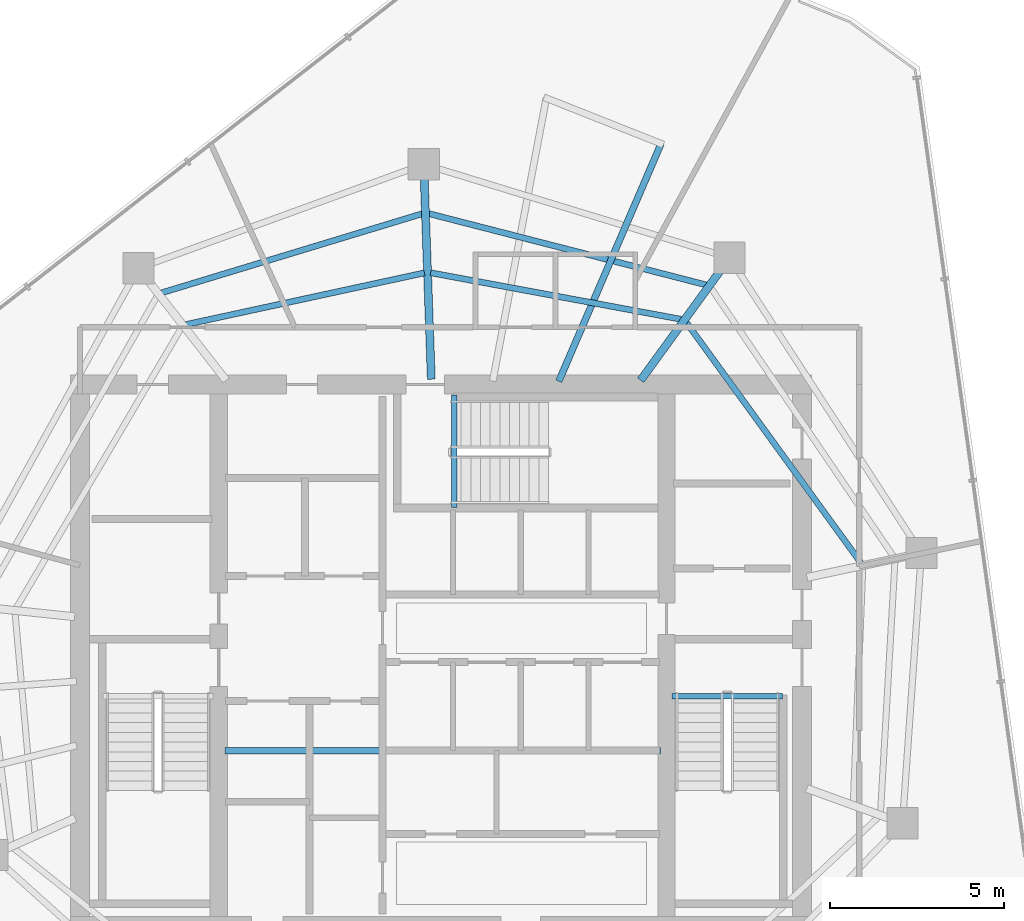
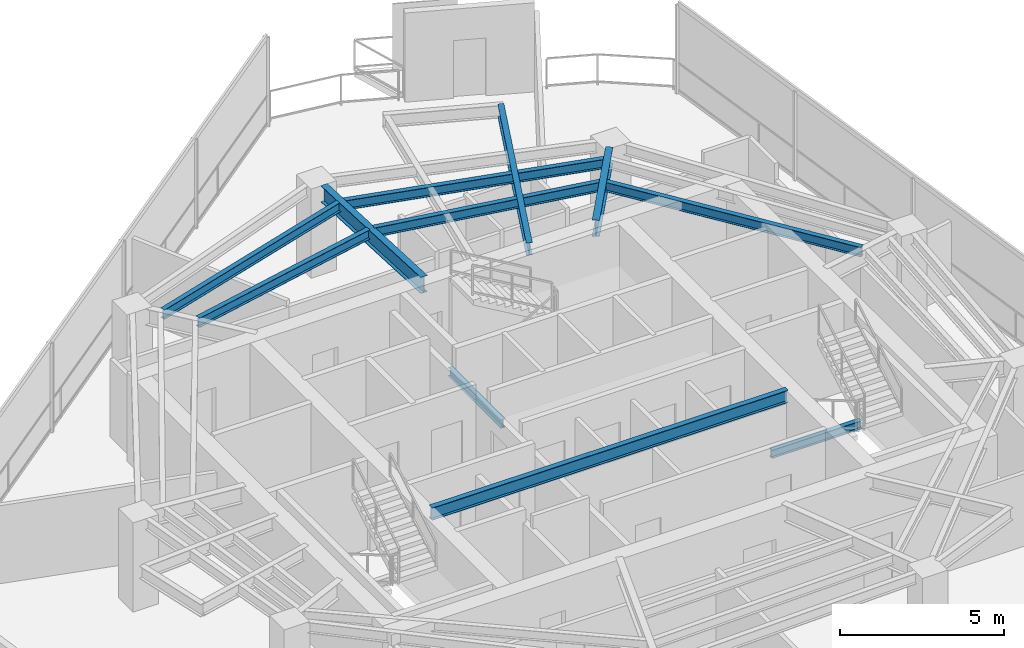
# One storey, part 8 of 19: 11 beams.
"""IFC4 building model written with IfcOpenShell, lengths in metres."""

from ifc_helpers import new_model, si_unit, direction, frame, origin, origin_2d, place, context, subcontext, project, spatial, i_section, extrude, material, material_profile, profile_set, type_object, element, save


model = new_model("IFC4")

# Units and contexts
model_context = context("Model", 3, precision=1e-05, world=origin(), true_north=direction((0.0, 1.0)))
body_context = subcontext(model_context, "Body", "Model", "MODEL_VIEW")
ifc_project = project(units=[si_unit("LENGTHUNIT", "METRE"), si_unit("AREAUNIT", "SQUARE_METRE"), si_unit("VOLUMEUNIT", "CUBIC_METRE"), si_unit("PLANEANGLEUNIT", "RADIAN"), si_unit("MASSUNIT", "GRAM", prefix="KILO")], contexts=[model_context])

# Site, building, storey
site_placement = place(None, origin())
site = spatial("IfcSite", under=ifc_project, at=site_placement, CompositionType="ELEMENT")
building_placement = place(site_placement, origin())
building = spatial("IfcBuilding", under=site, at=building_placement, Name="Qarnah Convention Tower", CompositionType="ELEMENT")
storey_placement = place(building_placement, frame((0.0, 0.0, 209.39990234375)))
storey = spatial("IfcBuildingStorey", under=building, at=storey_placement, Name="L56", CompositionType="ELEMENT", Elevation=209.39990234375)

# Beams
ifc_material = material(Name="Structural steel S355JR", Category="steel")
ifc_material_profile_1 = material_profile(ifc_material, i_section(OverallWidth=0.19189453125, OverallDepth=0.464111328125, WebThickness=0.010986328125, FlangeThickness=0.01806640625, at=origin_2d()), Name="W460X89")
ifc_profile_set_1 = profile_set([ifc_material_profile_1], Name="Structural steel S355JR")
beam_type_1 = type_object("IfcBeamType", Name="BM-CANT-W460A", PredefinedType="BEAM", material=ifc_profile_set_1)
beam_1_placement = place(storey_placement, frame((30.97998046875, 23.64990234375, 3.088134765625), z_axis=(1.0, 0.0, 0.0), x_axis=(0.0, 1.0, 0.0)))
element("IfcBeam", 1, at=beam_1_placement, inside=storey, type_object=beam_type_1, Name="L56 beam BM-L56-KC1", PredefinedType="BEAM", context=body_context, shape_type="SweptSolid", body=[
    extrude(i_section(OverallWidth=0.19189453125, OverallDepth=0.464111328125, WebThickness=0.010986328125, FlangeThickness=0.01806640625, at=origin_2d()), origin(), (0.0, 0.0, 1.0), 12.5400390625),
])
beam_2_placement = place(storey_placement, frame((40.596923828125, 34.2919921875, 3.088134765625), z_axis=(0.395334358974, 0.91853728537, 0.0), x_axis=(-0.91853728537, 0.395334358974, 0.0)))
element("IfcBeam", 2, at=beam_2_placement, inside=storey, type_object=beam_type_1, Name="L56 beam BM-L56-CNT-01-1", PredefinedType="BEAM", context=body_context, shape_type="SweptSolid", body=[
    extrude(i_section(OverallWidth=0.19189453125, OverallDepth=0.464111328125, WebThickness=0.010986328125, FlangeThickness=0.01806640625, at=origin_2d()), origin(), (0.0, 0.0, 1.0), 7.4521484375),
])
ifc_material_profile_2 = material_profile(ifc_material, i_section(OverallWidth=0.166015625, OverallDepth=0.31201171875, WebThickness=0.007080078125, FlangeThickness=0.010986328125, at=origin_2d()), Name="W310X45")
ifc_profile_set_2 = profile_set([ifc_material_profile_2], Name="Structural steel S355JR")
beam_type_2 = type_object("IfcBeamType", Name="BM-JST-W310", PredefinedType="JOIST", material=ifc_profile_set_2)
beam_3_placement = place(storey_placement, frame((43.860107421875, 25.217041015625, -0.156005859375), z_axis=(1.0, 0.0, 0.0), x_axis=(0.0, 1.0, 0.0)))
element("IfcBeam", 3, at=beam_3_placement, inside=storey, type_object=beam_type_2, Name="L56 stair landing trimmer beam BM-L56-ST2-TRM", PredefinedType="BEAM", context=body_context, shape_type="SweptSolid", body=[
    extrude(i_section(OverallWidth=0.166015625, OverallDepth=0.31201171875, WebThickness=0.007080078125, FlangeThickness=0.010986328125, at=origin_2d()), origin(), (0.0, 0.0, 1.0), 3.179931640625),
])
beam_4_placement = place(storey_placement, frame((37.5830078125, 30.659912109375, -0.156005859375), z_axis=(0.0, 1.0, 0.0), x_axis=(-1.0, 0.0, 0.0)))
element("IfcBeam", 4, at=beam_4_placement, inside=storey, type_object=beam_type_2, Name="L56 stair landing trimmer beam BM-L56-ST3-TRM", PredefinedType="BEAM", context=body_context, shape_type="SweptSolid", body=[
    extrude(i_section(OverallWidth=0.166015625, OverallDepth=0.31201171875, WebThickness=0.007080078125, FlangeThickness=0.010986328125, at=origin_2d()), origin(), (0.0, 0.0, 1.0), 3.239990234375),
])
ifc_material_profile_3 = material_profile(ifc_material, i_section(OverallWidth=0.172119140625, OverallDepth=0.35595703125, WebThickness=0.007080078125, FlangeThickness=0.011962890625, at=origin_2d()), Name="W360X51")
ifc_profile_set_3 = profile_set([ifc_material_profile_3], Name="Structural steel S355JR")
beam_type_3 = type_object("IfcBeamType", Name="BM-JST-W360", PredefinedType="JOIST", material=ifc_profile_set_3)
beam_5_placement = place(storey_placement, frame((44.846923828125, 37.06689453125, 3.14208984375), z_axis=(-0.968529970229, 0.248896960142, 0.0), x_axis=(-0.248896960142, -0.968529970229, 0.0)))
element("IfcBeam", 5, at=beam_5_placement, inside=storey, type_object=beam_type_3, Name="L56 joist BM-L56-SJST-02", PredefinedType="JOIST", context=body_context, shape_type="SweptSolid", body=[
    extrude(i_section(OverallWidth=0.172119140625, OverallDepth=0.35595703125, WebThickness=0.007080078125, FlangeThickness=0.011962890625, at=origin_2d()), origin(), (0.0, 0.0, 1.0), 8.264892578125),
])
beam_6_placement = place(storey_placement, frame((36.6689453125, 39.1201171875, 3.14208984375), z_axis=(-0.956935771125, -0.290299724321, 0.0), x_axis=(0.290299724321, -0.956935771125, 0.0)))
element("IfcBeam", 6, at=beam_6_placement, inside=storey, type_object=beam_type_3, Name="L56 joist BM-L56-SJST-03", PredefinedType="JOIST", context=body_context, shape_type="SweptSolid", body=[
    extrude(i_section(OverallWidth=0.172119140625, OverallDepth=0.35595703125, WebThickness=0.007080078125, FlangeThickness=0.011962890625, at=origin_2d()), origin(), (0.0, 0.0, 1.0), 7.857421875),
])
beam_7_placement = place(storey_placement, frame((49.302001953125, 29.056884765625, 3.14208984375), z_axis=(-0.587474793176, 0.809242465138, 0.0), x_axis=(-0.809242465138, -0.587474793176, 0.0)))
element("IfcBeam", 7, at=beam_7_placement, inside=storey, type_object=beam_type_3, Name="L56 joist BM-L56-IJST-01", PredefinedType="JOIST", context=body_context, shape_type="SweptSolid", body=[
    extrude(i_section(OverallWidth=0.172119140625, OverallDepth=0.35595703125, WebThickness=0.007080078125, FlangeThickness=0.011962890625, at=origin_2d()), origin(), (0.0, 0.0, 1.0), 8.563720703125),
])
beam_8_placement = place(storey_placement, frame((44.1298828125, 36.075927734375, 3.14208984375), z_axis=(-0.983190695227, 0.182581644257, 0.0), x_axis=(-0.182581644257, -0.983190695227, 0.0)))
element("IfcBeam", 8, at=beam_8_placement, inside=storey, type_object=beam_type_3, Name="L56 joist BM-L56-IJST-02", PredefinedType="JOIST", context=body_context, shape_type="SweptSolid", body=[
    extrude(i_section(OverallWidth=0.172119140625, OverallDepth=0.35595703125, WebThickness=0.007080078125, FlangeThickness=0.011962890625, at=origin_2d()), origin(), (0.0, 0.0, 1.0), 7.350341796875),
])
beam_9_placement = place(storey_placement, frame((36.72705078125, 37.4150390625, 3.14208984375), z_axis=(-0.977325057223, -0.211744498215, 0.0), x_axis=(0.211744498215, -0.977325057223, 0.0)))
element("IfcBeam", 9, at=beam_9_placement, inside=storey, type_object=beam_type_3, Name="L56 joist BM-L56-IJST-03", PredefinedType="JOIST", context=body_context, shape_type="SweptSolid", body=[
    extrude(i_section(OverallWidth=0.172119140625, OverallDepth=0.35595703125, WebThickness=0.007080078125, FlangeThickness=0.011962890625, at=origin_2d()), origin(), (0.0, 0.0, 1.0), 7.027587890625),
])
ifc_material_profile_4 = material_profile(ifc_material, i_section(OverallWidth=0.22802734375, OverallDepth=0.60791015625, WebThickness=0.010986328125, FlangeThickness=0.01708984375, at=origin_2d()), Name="W610X113")
ifc_profile_set_4 = profile_set([ifc_material_profile_4], Name="Structural steel S355JR")
beam_type_4 = type_object("IfcBeamType", Name="BM-RAD-W610B", PredefinedType="BEAM", material=ifc_profile_set_4)
beam_10_placement = place(storey_placement, frame((42.955078125, 34.321044921875, 3.01611328125), z_axis=(0.587650613849, 0.809114797815, 0.0), x_axis=(-0.809114797815, 0.587650613849, 0.0)))
element("IfcBeam", 10, at=beam_10_placement, inside=storey, type_object=beam_type_4, Name="L56 beam BM-L56-RAD-02", PredefinedType="BEAM", context=body_context, shape_type="SweptSolid", body=[
    extrude(i_section(OverallWidth=0.22802734375, OverallDepth=0.60791015625, WebThickness=0.010986328125, FlangeThickness=0.01708984375, at=origin_2d()), origin(), (0.0, 0.0, 1.0), 3.928955078125),
])
beam_11_placement = place(storey_placement, frame((36.923095703125, 34.35009765625, 3.01611328125), z_axis=(-0.035067624348, 0.999384941713, 0.0), x_axis=(-0.999384941713, -0.035067624348, 0.0)))
element("IfcBeam", 11, at=beam_11_placement, inside=storey, type_object=beam_type_4, Name="L56 beam BM-L56-RAD-03", PredefinedType="BEAM", context=body_context, shape_type="SweptSolid", body=[
    extrude(i_section(OverallWidth=0.22802734375, OverallDepth=0.60791015625, WebThickness=0.010986328125, FlangeThickness=0.01708984375, at=origin_2d()), origin(), (0.0, 0.0, 1.0), 5.7646484375),
])

save(model, "model.ifc")
